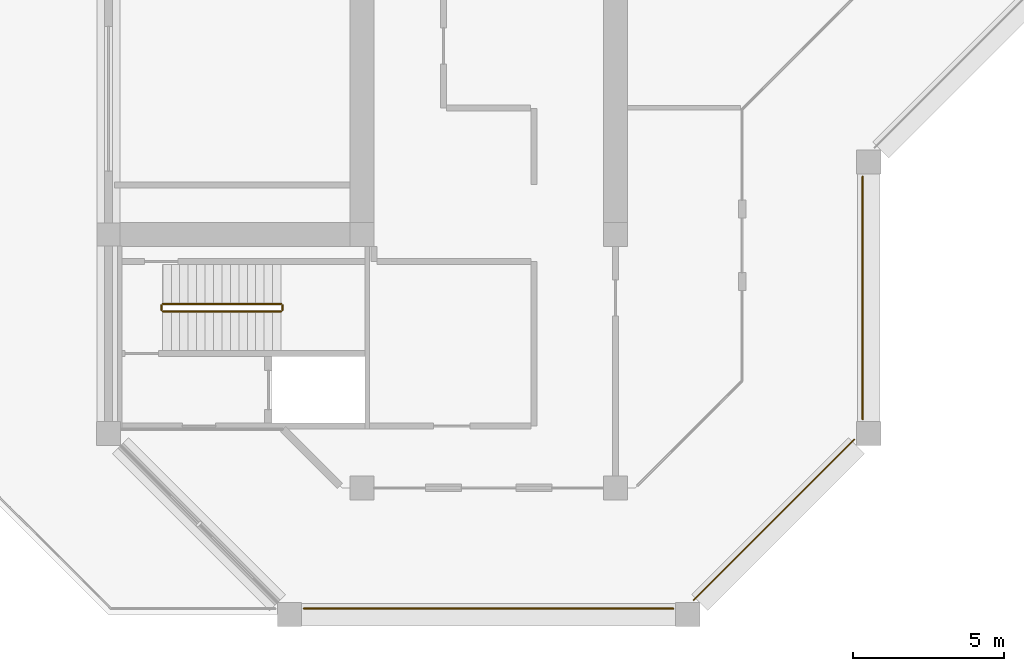
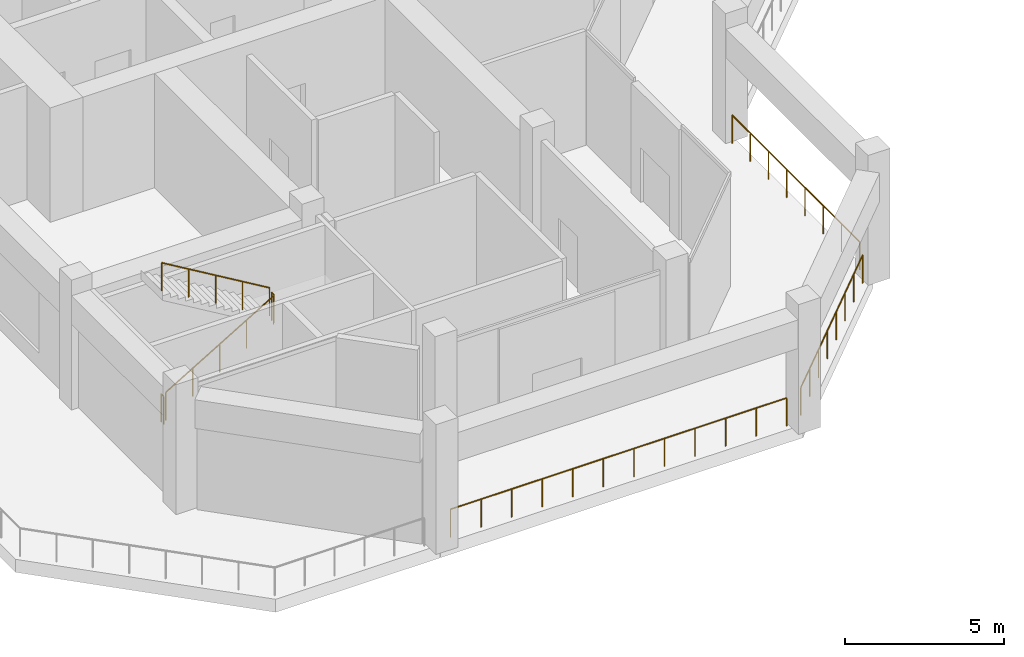
# One storey, part 11 of 16: 7 railings.
"""IFC4 building model written with IfcOpenShell, lengths in metres."""

from ifc_helpers import new_model, si_unit, direction, frame, origin, origin_2d, place, context, subcontext, project, spatial, circle, extrude, material, type_object, element, save


model = new_model("IFC4")

# Units and contexts
model_context = context("Model", 3, precision=1e-05, world=origin(), true_north=direction((0.0, 1.0)))
body_context = subcontext(model_context, "Body", "Model", "MODEL_VIEW")
ifc_project = project(units=[si_unit("LENGTHUNIT", "METRE"), si_unit("AREAUNIT", "SQUARE_METRE"), si_unit("VOLUMEUNIT", "CUBIC_METRE"), si_unit("PLANEANGLEUNIT", "RADIAN"), si_unit("MASSUNIT", "GRAM", prefix="KILO")], contexts=[model_context])

# Site, building, storey
site_placement = place(None, origin())
site = spatial("IfcSite", under=ifc_project, at=site_placement, CompositionType="ELEMENT")
building_placement = place(site_placement, origin())
building = spatial("IfcBuilding", under=site, at=building_placement, Name="Kawkab Arch Medical Tower", CompositionType="ELEMENT")
storey_placement = place(building_placement, frame((0.0, 0.0, 272.60009765625)))
storey = spatial("IfcBuildingStorey", under=building, at=storey_placement, Name="L63", CompositionType="ELEMENT", Elevation=272.60009765625)

# Railings
ifc_material_1 = material(Name="Bronze anodised aluminium guard", Category="aluminium")
railing_type_1 = type_object("IfcRailingType", Name="Loggia and terrace guard 1100", PredefinedType="GUARDRAIL", material=ifc_material_1)
railing_1_placement = place(storey_placement, frame((25.0, -31.679931640625, 0.0)))
element("IfcRailing", 1, at=railing_1_placement, inside=storey, type_object=railing_type_1, Name="Guard L63.REF-01.2.14", PredefinedType="GUARDRAIL", context=body_context, shape_type="SweptSolid", body=[
    extrude(circle(Radius=0.02392578125, at=origin_2d()), frame((0.0, 0.0, 1.076171875), z_axis=(0.0, -1.0, 0.0), x_axis=(1.0, 0.0, 0.0)), (0.0, 0.0, 1.0), 8.0400390625),
    extrude(circle(Radius=0.02099609375, at=origin_2d()), origin(), (0.0, 0.0, 1.0), 1.052001953125),
    extrude(circle(Radius=0.02099609375, at=origin_2d()), frame((0.0, -1.148681640625, 0.0)), (0.0, 0.0, 1.0), 1.052001953125),
    extrude(circle(Radius=0.02099609375, at=origin_2d()), frame((0.0, -2.297119140625, 0.0)), (0.0, 0.0, 1.0), 1.052001953125),
    extrude(circle(Radius=0.02099609375, at=origin_2d()), frame((0.0, -3.44580078125, 0.0)), (0.0, 0.0, 1.0), 1.052001953125),
    extrude(circle(Radius=0.02099609375, at=origin_2d()), frame((0.0, -4.59423828125, 0.0)), (0.0, 0.0, 1.0), 1.052001953125),
    extrude(circle(Radius=0.02099609375, at=origin_2d()), frame((0.0, -5.742919921875, 0.0)), (0.0, 0.0, 1.0), 1.052001953125),
    extrude(circle(Radius=0.02099609375, at=origin_2d()), frame((0.0, -6.891357421875, 0.0)), (0.0, 0.0, 1.0), 1.052001953125),
    extrude(circle(Radius=0.02099609375, at=origin_2d()), frame((0.0, -8.0400390625, 0.0)), (0.0, 0.0, 1.0), 1.052001953125),
])
railing_2_placement = place(storey_placement, frame((24.719970703125, -40.39697265625, 0.0)))
element("IfcRailing", 2, at=railing_2_placement, inside=storey, type_object=railing_type_1, Name="Guard L63.REF-01.2.15", PredefinedType="GUARDRAIL", context=body_context, shape_type="SweptSolid", body=[
    extrude(circle(Radius=0.02392578125, at=origin_2d()), frame((0.0, 0.0, 1.076171875), z_axis=(-0.707106781187, -0.707106781187, 0.0), x_axis=(0.707106781187, -0.707106781187, 0.0)), (0.0, 0.0, 1.0), 7.52783203125),
    extrude(circle(Radius=0.02099609375, at=origin_2d()), origin(), (0.0, 0.0, 1.0), 1.052001953125),
    extrude(circle(Radius=0.02099609375, at=origin_2d()), frame((-0.760498046875, -0.760498046875, 0.0)), (0.0, 0.0, 1.0), 1.052001953125),
    extrude(circle(Radius=0.02099609375, at=origin_2d()), frame((-1.520751953125, -1.520751953125, 0.0)), (0.0, 0.0, 1.0), 1.052001953125),
    extrude(circle(Radius=0.02099609375, at=origin_2d()), frame((-2.28125, -2.28125, 0.0)), (0.0, 0.0, 1.0), 1.052001953125),
    extrude(circle(Radius=0.02099609375, at=origin_2d()), frame((-3.041748046875, -3.041748046875, 0.0)), (0.0, 0.0, 1.0), 1.052001953125),
    extrude(circle(Radius=0.02099609375, at=origin_2d()), frame((-3.80224609375, -3.80224609375, 0.0)), (0.0, 0.0, 1.0), 1.052001953125),
    extrude(circle(Radius=0.02099609375, at=origin_2d()), frame((-4.5625, -4.5625, 0.0)), (0.0, 0.0, 1.0), 1.052001953125),
    extrude(circle(Radius=0.02099609375, at=origin_2d()), frame((-5.322998046875, -5.322998046875, 0.0)), (0.0, 0.0, 1.0), 1.052001953125),
])
railing_3_placement = place(storey_placement, frame((18.719970703125, -46.0, 0.0)))
element("IfcRailing", 3, at=railing_3_placement, inside=storey, type_object=railing_type_1, Name="Guard L63.REF-01.2.16", PredefinedType="GUARDRAIL", context=body_context, shape_type="SweptSolid", body=[
    extrude(circle(Radius=0.02392578125, at=origin_2d()), frame((0.0, 0.0, 1.076171875), z_axis=(-1.0, 0.0, 0.0), x_axis=(0.0, -1.0, 0.0)), (0.0, 0.0, 1.0), 12.239990234375),
    extrude(circle(Radius=0.02099609375, at=origin_2d()), origin(), (0.0, 0.0, 1.0), 1.052001953125),
    extrude(circle(Radius=0.02099609375, at=origin_2d()), frame((-1.11279296875, 0.0, 0.0)), (0.0, 0.0, 1.0), 1.052001953125),
    extrude(circle(Radius=0.02099609375, at=origin_2d()), frame((-2.225341796875, 0.0, 0.0)), (0.0, 0.0, 1.0), 1.052001953125),
    extrude(circle(Radius=0.02099609375, at=origin_2d()), frame((-3.338134765625, 0.0, 0.0)), (0.0, 0.0, 1.0), 1.052001953125),
    extrude(circle(Radius=0.02099609375, at=origin_2d()), frame((-4.450927734375, 0.0, 0.0)), (0.0, 0.0, 1.0), 1.052001953125),
    extrude(circle(Radius=0.02099609375, at=origin_2d()), frame((-5.563720703125, 0.0, 0.0)), (0.0, 0.0, 1.0), 1.052001953125),
    extrude(circle(Radius=0.02099609375, at=origin_2d()), frame((-6.67626953125, 0.0, 0.0)), (0.0, 0.0, 1.0), 1.052001953125),
    extrude(circle(Radius=0.02099609375, at=origin_2d()), frame((-7.7890625, 0.0, 0.0)), (0.0, 0.0, 1.0), 1.052001953125),
    extrude(circle(Radius=0.02099609375, at=origin_2d()), frame((-8.90185546875, 0.0, 0.0)), (0.0, 0.0, 1.0), 1.052001953125),
    extrude(circle(Radius=0.02099609375, at=origin_2d()), frame((-10.0146484375, 0.0, 0.0)), (0.0, 0.0, 1.0), 1.052001953125),
    extrude(circle(Radius=0.02099609375, at=origin_2d()), frame((-11.127197265625, 0.0, 0.0)), (0.0, 0.0, 1.0), 1.052001953125),
    extrude(circle(Radius=0.02099609375, at=origin_2d()), frame((-12.239990234375, 0.0, 0.0)), (0.0, 0.0, 1.0), 1.052001953125),
])
ifc_material_2 = material(Name="Stainless steel", Category="steel")
railing_type_2 = type_object("IfcRailingType", Name="Stair guard 1100", PredefinedType="GUARDRAIL", material=ifc_material_2)
railing_4_placement = place(storey_placement, frame((1.800048828125, -36.14990234375, 0.16650390625)))
element("IfcRailing", 4, at=railing_4_placement, inside=storey, type_object=railing_type_2, Name="L63 ST6 stair guard 1", PredefinedType="GUARDRAIL", context=body_context, shape_type="SweptSolid", body=[
    extrude(circle(Radius=0.02392578125, at=origin_2d()), frame((0.0, 0.0, 1.076171875), z_axis=(0.859272722373, 0.0, 0.511517730471), x_axis=(0.0, 1.0, 0.0)), (0.0, 0.0, 1.0), 4.56201171875),
    extrude(circle(Radius=0.02099609375, at=origin_2d()), origin(), (0.0, 0.0, 1.0), 1.052001953125),
    extrude(circle(Radius=0.02099609375, at=origin_2d()), frame((0.97998046875, 0.0, 0.58349609375)), (0.0, 0.0, 1.0), 1.052001953125),
    extrude(circle(Radius=0.02099609375, at=origin_2d()), frame((1.9599609375, 0.0, 1.166748046875)), (0.0, 0.0, 1.0), 1.052001953125),
    extrude(circle(Radius=0.02099609375, at=origin_2d()), frame((2.93994140625, 0.0, 1.75)), (0.0, 0.0, 1.0), 1.052001953125),
    extrude(circle(Radius=0.02099609375, at=origin_2d()), frame((3.919921875, 0.0, 2.33349609375)), (0.0, 0.0, 1.0), 1.052001953125),
])
railing_5_placement = place(storey_placement, frame((5.77001953125, -36.10009765625, 2.5)))
element("IfcRailing", 5, at=railing_5_placement, inside=storey, type_object=railing_type_2, Name="L63 ST6 stair guard 2", PredefinedType="GUARDRAIL", context=body_context, shape_type="SweptSolid", body=[
    extrude(circle(Radius=0.02392578125, at=origin_2d()), frame((0.0, 0.0, 1.076171875), z_axis=(0.0, 1.0, 0.0), x_axis=(-1.0, 0.0, 0.0)), (0.0, 0.0, 1.0), 0.150146484375),
    extrude(circle(Radius=0.02099609375, at=origin_2d()), origin(), (0.0, 0.0, 1.0), 1.052001953125),
    extrude(circle(Radius=0.02099609375, at=origin_2d()), frame((0.0, 0.150146484375, 0.0)), (0.0, 0.0, 1.0), 1.052001953125),
])
railing_6_placement = place(storey_placement, frame((5.719970703125, -35.89990234375, 2.66650390625)))
element("IfcRailing", 6, at=railing_6_placement, inside=storey, type_object=railing_type_2, Name="L63 ST6 stair guard 3", PredefinedType="GUARDRAIL", context=body_context, shape_type="SweptSolid", body=[
    extrude(circle(Radius=0.02392578125, at=origin_2d()), frame((0.0, 0.0, 1.076171875), z_axis=(-0.859272722373, 0.0, 0.511517730471), x_axis=(0.0, -1.0, 0.0)), (0.0, 0.0, 1.0), 4.56201171875),
    extrude(circle(Radius=0.02099609375, at=origin_2d()), origin(), (0.0, 0.0, 1.0), 1.052001953125),
    extrude(circle(Radius=0.02099609375, at=origin_2d()), frame((-0.97998046875, 0.0, 0.58349609375)), (0.0, 0.0, 1.0), 1.052001953125),
    extrude(circle(Radius=0.02099609375, at=origin_2d()), frame((-1.9599609375, 0.0, 1.166748046875)), (0.0, 0.0, 1.0), 1.052001953125),
    extrude(circle(Radius=0.02099609375, at=origin_2d()), frame((-2.93994140625, 0.0, 1.75)), (0.0, 0.0, 1.0), 1.052001953125),
    extrude(circle(Radius=0.02099609375, at=origin_2d()), frame((-3.919921875, 0.0, 2.33349609375)), (0.0, 0.0, 1.0), 1.052001953125),
])
railing_7_placement = place(storey_placement, frame((1.75, -36.10009765625, 0.0)))
element("IfcRailing", 7, at=railing_7_placement, inside=storey, type_object=railing_type_2, Name="L63 ST6 stair guard 4", PredefinedType="GUARDRAIL", context=body_context, shape_type="SweptSolid", body=[
    extrude(circle(Radius=0.02392578125, at=origin_2d()), frame((0.0, 0.0, 1.076171875), z_axis=(0.0, 1.0, 0.0), x_axis=(-1.0, 0.0, 0.0)), (0.0, 0.0, 1.0), 0.150146484375),
    extrude(circle(Radius=0.02099609375, at=origin_2d()), origin(), (0.0, 0.0, 1.0), 1.052001953125),
    extrude(circle(Radius=0.02099609375, at=origin_2d()), frame((0.0, 0.150146484375, 0.0)), (0.0, 0.0, 1.0), 1.052001953125),
])

save(model, "model.ifc")
